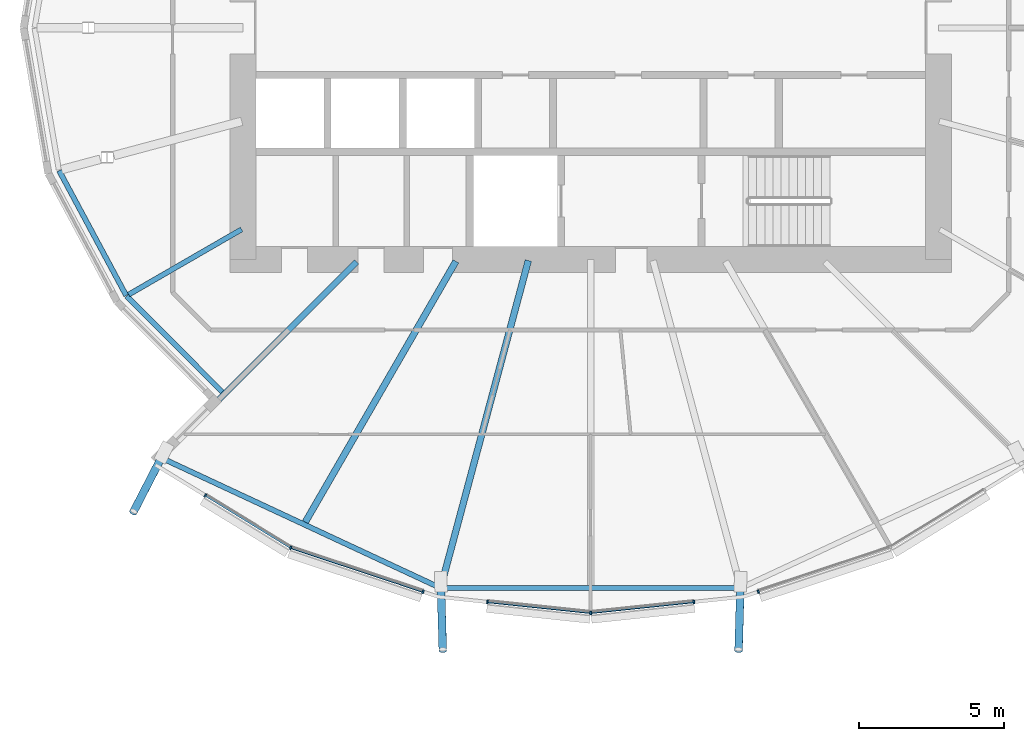
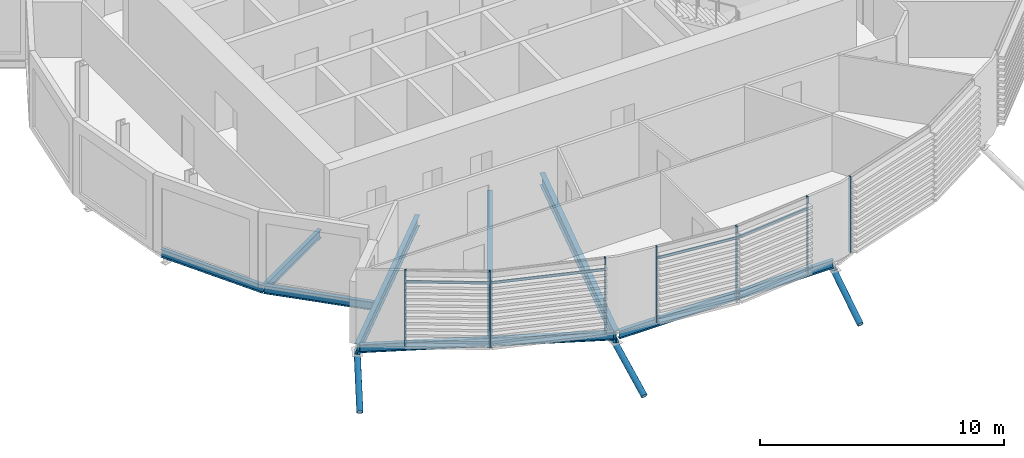
# One storey, part 3 of 37: 14 members, 8 beams, 1 element without a shape of its own.
"""IFC4 building model written with IfcOpenShell, lengths in metres."""

from ifc_helpers import new_model, si_unit, direction, frame, origin, origin_2d, place, context, subcontext, project, spatial, rectangle, hollow_circle, i_section, extrude, clip, halfspace, material, material_profile, profile_set, type_object, element, aggregate, save


model = new_model("IFC4")

# Units and contexts
model_context = context("Model", 3, precision=1e-05, world=origin(), true_north=direction((0.0, 1.0)))
body_context = subcontext(model_context, "Body", "Model", "MODEL_VIEW")
ifc_project = project(units=[si_unit("LENGTHUNIT", "METRE"), si_unit("AREAUNIT", "SQUARE_METRE"), si_unit("VOLUMEUNIT", "CUBIC_METRE"), si_unit("PLANEANGLEUNIT", "RADIAN"), si_unit("MASSUNIT", "GRAM", prefix="KILO")], contexts=[model_context])

# Site, building, storey
site_placement = place(None, origin())
site = spatial("IfcSite", under=ifc_project, at=site_placement, CompositionType="ELEMENT")
building_placement = place(site_placement, origin())
building = spatial("IfcBuilding", under=site, at=building_placement, Name="Rimbun Link Towers", CompositionType="ELEMENT")
storey_placement = place(building_placement, frame((0.0, 0.0, 45.199951171875)))
storey = spatial("IfcBuildingStorey", under=building, at=storey_placement, Name="L10", CompositionType="ELEMENT", Elevation=45.199951171875)

# Curtain wall, members
ifc_material_1 = material(Name="Aluminium 6063-T6 and low-iron glass", Category="aluminium")
curtain_wall_type = type_object("IfcCurtainWallType", Name="CW1 unitised vision wall", PredefinedType="NOTDEFINED", material=ifc_material_1)
curtain_wall_placement = place(storey_placement, origin())
curtain_wall = element("IfcCurtainWall", 1, at=curtain_wall_placement, inside=storey, type_object=curtain_wall_type, Name="CW1 L10 T1", PredefinedType="NOTDEFINED")
ifc_material_2 = material(Name="Aluminium 6063-T6", Category="aluminium")
ifc_material_profile_1 = material_profile(ifc_material_2, rectangle(XDim=0.1201171875, YDim=0.06005859375, at=origin_2d()), Name="MULLION 60X120")
ifc_profile_set_1 = profile_set([ifc_material_profile_1], Name="Aluminium 6063-T6")
member_type_1 = type_object("IfcMemberType", Name="CW1 mullion 60X120", PredefinedType="MULLION", material=ifc_profile_set_1)
member_1_placement = place(storey_placement, frame((-42.103759765625, -17.944091796875, 0.0), z_axis=(0.0, 0.0, 1.0), x_axis=(-0.421700623213, -0.906735123607, 0.0)))
member_1 = element("IfcMember", 2, at=member_1_placement, type_object=member_type_1, Name="CW1 mullion", PredefinedType="MULLION", context=body_context, shape_type="SweptSolid", body=[
    extrude(rectangle(XDim=0.1201171875, YDim=0.06005859375, at=origin_2d()), origin(), (0.0, 0.0, 1.0), 3.800048828125),
])
member_2_placement = place(storey_placement, frame((-45.047607421875, -16.136962890625, 0.0), z_axis=(0.0, 0.0, 1.0), x_axis=(-0.523240552823, -0.852185029135, 0.0)))
member_2 = element("IfcMember", 3, at=member_2_placement, type_object=member_type_1, Name="CW1 mullion", PredefinedType="MULLION", context=body_context, shape_type="SweptSolid", body=[
    extrude(rectangle(XDim=0.1201171875, YDim=0.06005859375, at=origin_2d()), origin(), (0.0, 0.0, 1.0), 3.800048828125),
])
member_3_placement = place(storey_placement, frame((-37.535888671875, -19.458251953125, 0.0), z_axis=(0.0, 0.0, 1.0), x_axis=(-0.314557949572, -0.949238271648, 0.0)))
member_3 = element("IfcMember", 4, at=member_3_placement, type_object=member_type_1, Name="CW1 mullion", PredefinedType="MULLION", context=body_context, shape_type="SweptSolid", body=[
    extrude(rectangle(XDim=0.1201171875, YDim=0.06005859375, at=origin_2d()), origin(), (0.0, 0.0, 1.0), 3.800048828125),
])
member_4_placement = place(storey_placement, frame((-31.75, -20.1865234375, 0.0), z_axis=(0.0, 0.0, 1.0), x_axis=(0.0, -1.0, 0.0)))
member_4 = element("IfcMember", 5, at=member_4_placement, type_object=member_type_1, Name="CW1 mullion", PredefinedType="MULLION", context=body_context, shape_type="SweptSolid", body=[
    extrude(rectangle(XDim=0.1201171875, YDim=0.06005859375, at=origin_2d()), origin(), (0.0, 0.0, 1.0), 3.800048828125),
])
member_5_placement = place(storey_placement, frame((-35.310546875, -19.81201171875, 0.0), z_axis=(0.0, 0.0, 1.0), x_axis=(-0.104742031783, -0.994499425228, 0.0)))
member_5 = element("IfcMember", 6, at=member_5_placement, type_object=member_type_1, Name="CW1 mullion", PredefinedType="MULLION", context=body_context, shape_type="SweptSolid", body=[
    extrude(rectangle(XDim=0.1201171875, YDim=0.06005859375, at=origin_2d()), origin(), (0.0, 0.0, 1.0), 3.800048828125),
])
member_6_placement = place(storey_placement, frame((-28.189453125, -19.81201171875, 0.0), z_axis=(0.0, 0.0, 1.0), x_axis=(0.104742031783, -0.994499425228, 0.0)))
member_6 = element("IfcMember", 7, at=member_6_placement, type_object=member_type_1, Name="CW1 mullion", PredefinedType="MULLION", context=body_context, shape_type="SweptSolid", body=[
    extrude(rectangle(XDim=0.1201171875, YDim=0.06005859375, at=origin_2d()), origin(), (0.0, 0.0, 1.0), 3.800048828125),
])
member_7_placement = place(storey_placement, frame((-25.964111328125, -19.458251953125, 0.0), z_axis=(0.0, 0.0, 1.0), x_axis=(0.314557949572, -0.949238271648, 0.0)))
member_7 = element("IfcMember", 8, at=member_7_placement, type_object=member_type_1, Name="CW1 mullion", PredefinedType="MULLION", context=body_context, shape_type="SweptSolid", body=[
    extrude(rectangle(XDim=0.1201171875, YDim=0.06005859375, at=origin_2d()), origin(), (0.0, 0.0, 1.0), 3.800048828125),
])
ifc_material_3 = material(Name="Aluminium 6063-T6", Category="aluminium")
ifc_material_profile_2 = material_profile(ifc_material_3, rectangle(XDim=0.06005859375, YDim=0.1201171875, at=origin_2d()), Name="TRANSOM 60X120")
ifc_profile_set_2 = profile_set([ifc_material_profile_2], Name="Aluminium 6063-T6")
member_type_2 = type_object("IfcMemberType", Name="CW1 transom 60X120", PredefinedType="USERDEFINED", material=ifc_profile_set_2)
member_8_placement = place(storey_placement, frame((-42.134521484375, -17.92333984375, 3.199951171875), z_axis=(-0.852162767793, 0.523276807424, 0.0), x_axis=(-0.523276807424, -0.852162767793, 0.0)))
member_8 = element("IfcMember", 9, at=member_8_placement, type_object=member_type_2, Name="CW1 transom", ObjectType="TRANSOM", PredefinedType="USERDEFINED", context=body_context, shape_type="SweptSolid", body=[
    extrude(rectangle(XDim=0.06005859375, YDim=0.1201171875, at=origin_2d()), origin(), (0.0, 0.0, 1.0), 3.38720703125),
])
member_9_placement = place(storey_placement, frame((-37.563720703125, -19.44677734375, 3.199951171875), z_axis=(-0.94924257517, 0.314544962581, 0.0), x_axis=(-0.314544962581, -0.94924257517, 0.0)))
member_9 = element("IfcMember", 10, at=member_9_placement, type_object=member_type_2, Name="CW1 transom", ObjectType="TRANSOM", PredefinedType="USERDEFINED", context=body_context, shape_type="SweptSolid", body=[
    extrude(rectangle(XDim=0.06005859375, YDim=0.1201171875, at=origin_2d()), origin(), (0.0, 0.0, 1.0), 4.74560546875),
])
member_10_placement = place(storey_placement, frame((-31.785888671875, -20.18115234375, 3.199951171875), z_axis=(-0.994496312409, 0.104771583004, 0.0), x_axis=(-0.104771583004, -0.994496312409, 0.0)))
member_10 = element("IfcMember", 11, at=member_10_placement, type_object=member_type_2, Name="CW1 transom", ObjectType="TRANSOM", PredefinedType="USERDEFINED", context=body_context, shape_type="SweptSolid", body=[
    extrude(rectangle(XDim=0.06005859375, YDim=0.1201171875, at=origin_2d()), origin(), (0.0, 0.0, 1.0), 3.513916015625),
])
member_11_placement = place(storey_placement, frame((-28.219482421875, -19.81298828125, 3.199951171875), z_axis=(-0.994496312409, -0.104771583004, 0.0), x_axis=(0.104771583004, -0.994496312409, 0.0)))
member_11 = element("IfcMember", 12, at=member_11_placement, type_object=member_type_2, Name="CW1 transom", ObjectType="TRANSOM", PredefinedType="USERDEFINED", context=body_context, shape_type="SweptSolid", body=[
    extrude(rectangle(XDim=0.06005859375, YDim=0.1201171875, at=origin_2d()), origin(), (0.0, 0.0, 1.0), 3.513916015625),
])
aggregate(curtain_wall, [member_1, member_2, member_3, member_4, member_5, member_6, member_7, member_8, member_9, member_10, member_11])

# Members
ifc_material_4 = material(Name="Steel S355J2H", Category="steel")
ifc_material_profile_3 = material_profile(ifc_material_4, hollow_circle(Radius=0.136474609375, WallThickness=0.012451171875, at=origin_2d()), Name="CHS 273x12.5")
ifc_profile_set_3 = profile_set([ifc_material_profile_3], Name="Steel S355J2H")
member_type_3 = type_object("IfcMemberType", Name="Floor edge link CHS 273x12.5", PredefinedType="BRACE", material=ifc_profile_set_3)
member_12_placement = place(storey_placement, frame((-46.546142578125, -14.796142578125, -0.81005859375), z_axis=(-0.393906004546, -0.765330780788, -0.509025397756), x_axis=(0.889142546891, -0.457630343519, 0.0)))
element("IfcMember", 13, at=member_12_placement, inside=storey, type_object=member_type_3, Name="Floor edge link T1 L10 15", PredefinedType="BRACE", context=body_context, shape_type="Clipping", body=[
    clip(extrude(hollow_circle(Radius=0.136474609375, WallThickness=0.012451171875, at=origin_2d()), frame((0.0, 0.0, -0.4814453125)), (0.0, 0.0, 1.0), 3.0009765625), halfspace(frame((0.0, 0.0, -0.225830078125), z_axis=(0.0, 0.860751499818, -0.509025397756)), False)),
])
for number, where, z_axis, x_axis, name in (
    (14, (-36.91650390625, -19.281494140625, -0.880859375), (0.024967858642, -0.869169571413, -0.493883449981), (0.999587660547, 0.028714262705, 0.0), "Floor edge link T1 L10 17"),
    (15, (-26.58349609375, -19.281494140625, -0.880859375), (-0.024967858642, -0.869169571413, -0.493883449981), (0.999587660547, -0.028714262705, 0.0), "Floor edge link T1 L10 19"),
):
    element("IfcMember", number, at=place(storey_placement, frame(where, z_axis=z_axis, x_axis=x_axis)), inside=storey, type_object=member_type_3, Name=name, PredefinedType="BRACE", context=body_context, shape_type="Clipping", body=[
        clip(extrude(hollow_circle(Radius=0.136474609375, WallThickness=0.012451171875, at=origin_2d()), frame((0.0, 0.0, -0.5009765625)), (0.0, 0.0, 1.0), 3.043212890625), halfspace(frame((0.0, 0.0, -0.235595703125), z_axis=(0.0, 0.869528112159, -0.493883449981)), False)),
    ])

# Beams
ifc_material_5 = material(Name="Steel S355J2", Category="steel")
ifc_material_profile_4 = material_profile(ifc_material_5, i_section(OverallWidth=0.177978515625, OverallDepth=0.406494140625, WebThickness=0.0078125, FlangeThickness=0.0126953125, at=origin_2d()), Name="UB 406x178x60")
ifc_profile_set_4 = profile_set([ifc_material_profile_4], Name="Steel S355J2")
beam_type_1 = type_object("IfcBeamType", Name="UB 406x178x60", PredefinedType="BEAM", material=ifc_profile_set_4)
beam_1_placement = place(storey_placement, frame((-43.79541015625, -6.954345703125, -0.363037109375), z_axis=(-0.866013897511, -0.50001992892, 0.0), x_axis=(0.50001992892, -0.866013897511, 0.0)))
element("IfcBeam", 16, at=beam_1_placement, inside=storey, type_object=beam_type_1, Name="Radial beam T1 L10 14", PredefinedType="BEAM", context=body_context, shape_type="SweptSolid", body=[
    extrude(i_section(OverallWidth=0.177978515625, OverallDepth=0.406494140625, WebThickness=0.0078125, FlangeThickness=0.0126953125, at=origin_2d()), origin(), (0.0, 0.0, 1.0), 4.499267578125),
])
beam_2_placement = place(storey_placement, frame((-50.0908203125, -4.929931640625, -0.363037109375), z_axis=(0.473227114813, -0.880940462123, 0.0), x_axis=(0.880940462123, 0.473227114813, 0.0)))
element("IfcBeam", 17, at=beam_2_placement, inside=storey, type_object=beam_type_1, Name="Edge beam T1 L10 13 recess", PredefinedType="BEAM", context=body_context, shape_type="SweptSolid", body=[
    extrude(i_section(OverallWidth=0.177978515625, OverallDepth=0.406494140625, WebThickness=0.0078125, FlangeThickness=0.0126953125, at=origin_2d()), origin(), (0.0, 0.0, 1.0), 4.88916015625),
])
beam_3_placement = place(storey_placement, frame((-47.760498046875, -9.25927734375, -0.363037109375), z_axis=(0.706321834513, -0.70789085747, 0.0), x_axis=(0.70789085747, 0.706321834513, 0.0)))
element("IfcBeam", 18, at=beam_3_placement, inside=storey, type_object=beam_type_1, Name="Edge beam T1 L10 14 recess", PredefinedType="BEAM", context=body_context, shape_type="SweptSolid", body=[
    extrude(i_section(OverallWidth=0.177978515625, OverallDepth=0.406494140625, WebThickness=0.0078125, FlangeThickness=0.0126953125, at=origin_2d()), origin(), (0.0, 0.0, 1.0), 4.66796875),
])
beam_4_placement = place(storey_placement, frame((-46.4794921875, -14.87890625, -0.363037109375), z_axis=(0.906398512067, -0.422423646738, 0.0), x_axis=(0.422423646738, 0.906398512067, 0.0)))
element("IfcBeam", 19, at=beam_4_placement, inside=storey, type_object=beam_type_1, Name="Edge beam T1 L10 15-17", PredefinedType="BEAM", context=body_context, shape_type="SweptSolid", body=[
    extrude(i_section(OverallWidth=0.177978515625, OverallDepth=0.406494140625, WebThickness=0.0078125, FlangeThickness=0.0126953125, at=origin_2d()), origin(), (0.0, 0.0, 1.0), 10.419921875),
])
beam_5_placement = place(storey_placement, frame((-36.810546875, -19.32958984375, -0.363037109375), z_axis=(1.0, 0.0, 0.0), x_axis=(0.0, 1.0, 0.0)))
element("IfcBeam", 20, at=beam_5_placement, inside=storey, type_object=beam_type_1, Name="Edge beam T1 L10 17-19", PredefinedType="BEAM", context=body_context, shape_type="SweptSolid", body=[
    extrude(i_section(OverallWidth=0.177978515625, OverallDepth=0.406494140625, WebThickness=0.0078125, FlangeThickness=0.0126953125, at=origin_2d()), origin(), (0.0, 0.0, 1.0), 10.12109375),
])
ifc_material_6 = material(Name="Steel S355J2", Category="steel")
ifc_material_profile_5 = material_profile(ifc_material_6, i_section(OverallWidth=0.209228515625, OverallDepth=0.533203125, WebThickness=0.010009765625, FlangeThickness=0.015625, at=origin_2d()), Name="UB 533x210x92")
ifc_profile_set_5 = profile_set([ifc_material_profile_5], Name="Steel S355J2")
beam_type_2 = type_object("IfcBeamType", Name="UB 533x210x92", PredefinedType="BEAM", material=ifc_profile_set_5)
beam_6_placement = place(storey_placement, frame((-39.82470703125, -8.07470703125, -0.426513671875), z_axis=(-0.707106781187, -0.707106781187, 0.0), x_axis=(0.707106781187, -0.707106781187, 0.0)))
element("IfcBeam", 21, at=beam_6_placement, inside=storey, type_object=beam_type_2, Name="Radial beam T1 L10 15", PredefinedType="BEAM", context=body_context, shape_type="SweptSolid", body=[
    extrude(i_section(OverallWidth=0.209228515625, OverallDepth=0.533203125, WebThickness=0.010009765625, FlangeThickness=0.015625, at=origin_2d()), origin(), (0.0, 0.0, 1.0), 9.55517578125),
])
ifc_material_7 = material(Name="Steel S355J2", Category="steel")
ifc_material_profile_6 = material_profile(ifc_material_7, i_section(OverallWidth=0.2275390625, OverallDepth=0.6025390625, WebThickness=0.010498046875, FlangeThickness=0.014892578125, at=origin_2d()), Name="UB 610x229x101")
ifc_profile_set_6 = profile_set([ifc_material_profile_6], Name="Steel S355J2")
beam_type_3 = type_object("IfcBeamType", Name="UB 610x229x101", PredefinedType="BEAM", material=ifc_profile_set_6)
beam_7_placement = place(storey_placement, frame((-36.402099609375, -8.057861328125, -0.461181640625), z_axis=(-0.499998423118, -0.866026314196, 0.0), x_axis=(0.866026314196, -0.499998423118, 0.0)))
element("IfcBeam", 22, at=beam_7_placement, inside=storey, type_object=beam_type_3, Name="Radial beam T1 L10 16", PredefinedType="BEAM", context=body_context, shape_type="SweptSolid", body=[
    extrude(i_section(OverallWidth=0.2275390625, OverallDepth=0.6025390625, WebThickness=0.010498046875, FlangeThickness=0.014892578125, at=origin_2d()), origin(), (0.0, 0.0, 1.0), 10.38916015625),
])
beam_8_placement = place(storey_placement, frame((-33.901611328125, -8.030517578125, -0.461181640625), z_axis=(-0.258839363348, -0.965920381803, 0.0), x_axis=(0.965920381803, -0.258839363348, 0.0)))
element("IfcBeam", 23, at=beam_8_placement, inside=storey, type_object=beam_type_3, Name="Radial beam T1 L10 17", PredefinedType="BEAM", context=body_context, shape_type="SweptSolid", body=[
    extrude(i_section(OverallWidth=0.2275390625, OverallDepth=0.6025390625, WebThickness=0.010498046875, FlangeThickness=0.014892578125, at=origin_2d()), origin(), (0.0, 0.0, 1.0), 11.69775390625),
])

save(model, "model.ifc")
